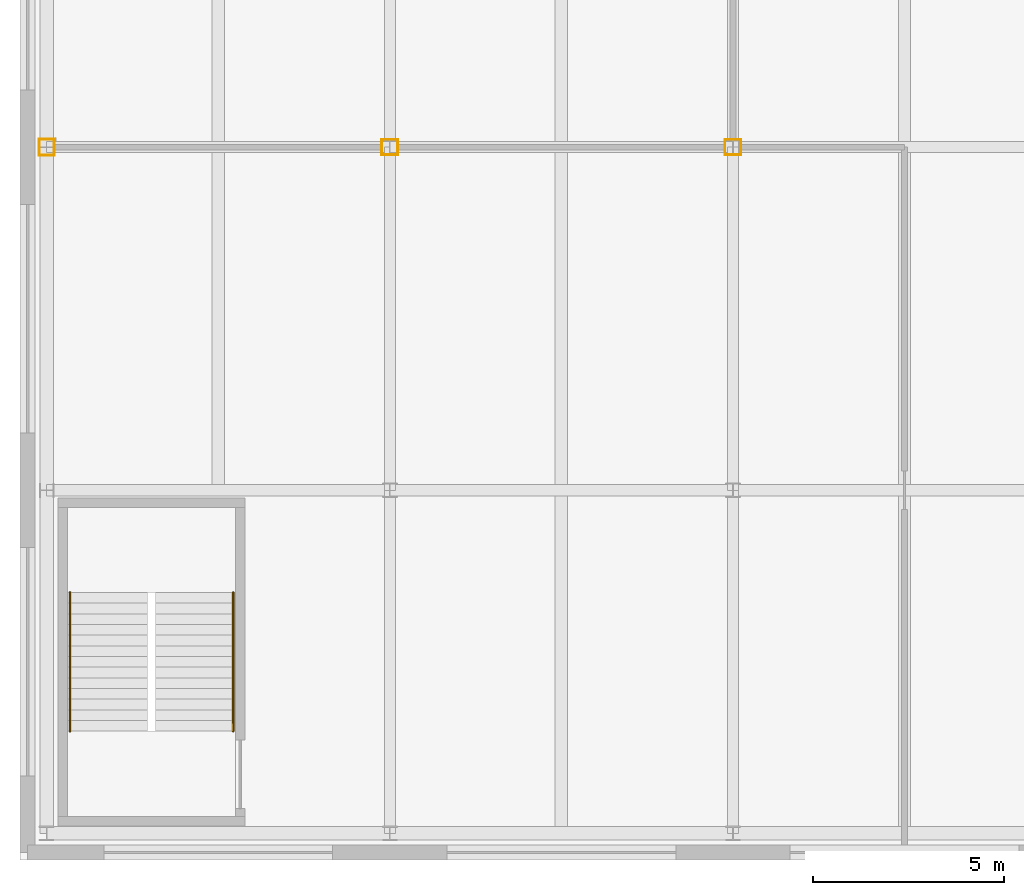
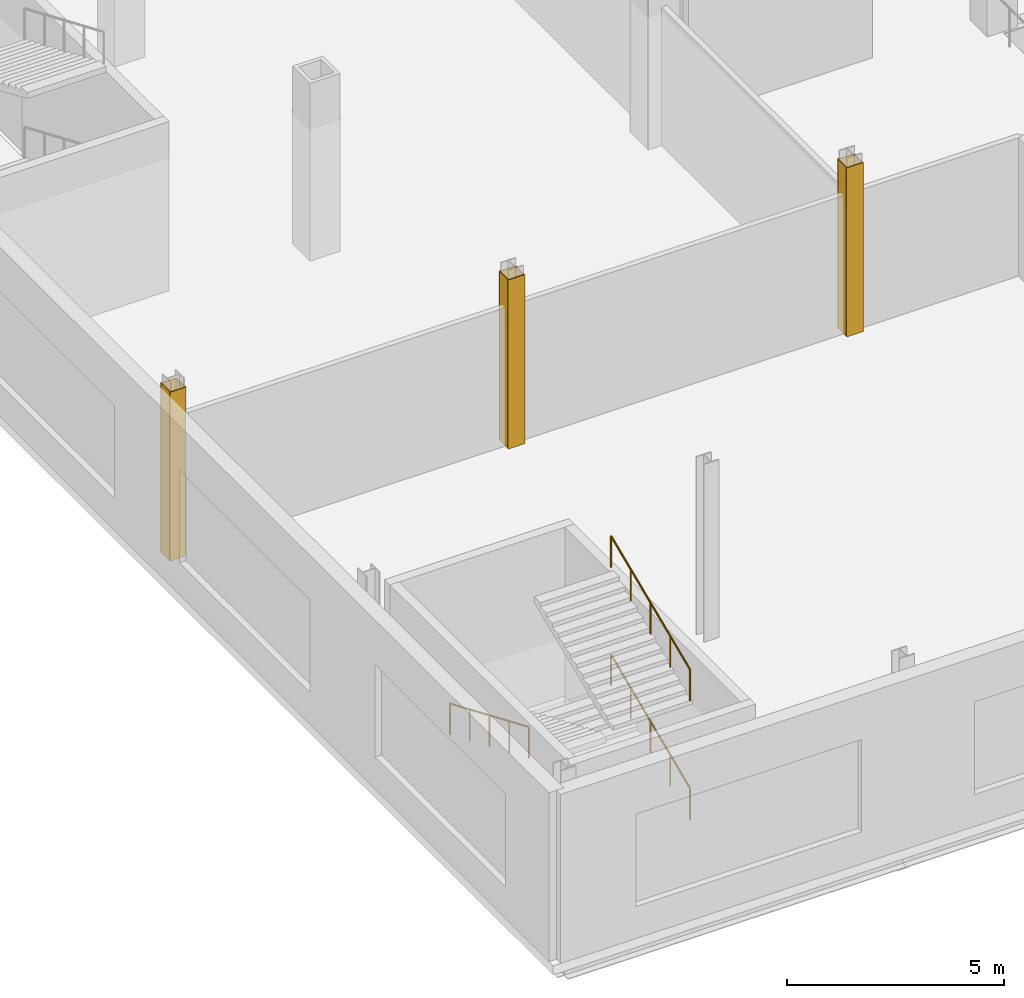
# One storey, part 19 of 28: 12 coverings, 3 railings.
"""IFC4 building model written with IfcOpenShell, lengths in metres."""

from ifc_helpers import new_model, si_unit, direction, frame, origin, origin_2d, place, context, subcontext, project, spatial, rectangle, circle, extrude, material, layer, layer_set, type_object, element, save


model = new_model("IFC4")

# Units and contexts
model_context = context("Model", 3, precision=1e-05, world=origin(), true_north=direction((0.0, 1.0)))
body_context = subcontext(model_context, "Body", "Model", "MODEL_VIEW")
ifc_project = project(units=[si_unit("LENGTHUNIT", "METRE"), si_unit("AREAUNIT", "SQUARE_METRE"), si_unit("VOLUMEUNIT", "CUBIC_METRE"), si_unit("PLANEANGLEUNIT", "RADIAN"), si_unit("MASSUNIT", "GRAM", prefix="KILO")], contexts=[model_context])

# Site, building, storey
site_placement = place(None, origin())
site = spatial("IfcSite", under=ifc_project, at=site_placement, CompositionType="ELEMENT")
building_placement = place(site_placement, origin())
building = spatial("IfcBuilding", under=site, at=building_placement, Name="Loomwork Tower", CompositionType="ELEMENT")
storey_placement = place(building_placement, frame((0.0, 0.0, 6.0)))
storey = spatial("IfcBuildingStorey", under=building, at=storey_placement, Name="L01", CompositionType="ELEMENT", Elevation=6.0)

# Coverings
ifc_material_1 = material(Name="Two-hour fire-rated gypsum board casing")
ifc_layer = layer(ifc_material_1, 0.02490234375)
ifc_layer_set = layer_set([ifc_layer], Name="Column fire casing 25")
covering_type = type_object("IfcCoveringType", Name="Column fire casing 25", PredefinedType="CLADDING", material=ifc_layer_set)
for number, where, z_axis, x_axis, name in (
    (1, (-9.0, -8.790771484375, 0.0), (0.0, 0.0, 1.0), (1.0, 0.0, 0.0), "Column casing -9 -9 L01"),
    (2, (-9.0, -9.209228515625, 0.0), (0.0, 0.0, 1.0), (1.0, 0.0, 0.0), "Column casing -9 -9 L01"),
):
    element("IfcCovering", number, at=place(storey_placement, frame(where, z_axis=z_axis, x_axis=x_axis)), inside=storey, type_object=covering_type, Name=name, PredefinedType="CLADDING", context=body_context, shape_type="SweptSolid", body=[
        extrude(rectangle(XDim=0.42578125, YDim=0.02490234375, at=origin_2d()), origin(), (0.0, 0.0, 1.0), 4.75),
    ])
for number, where, z_axis, x_axis, name in (
    (3, (-8.799560546875, -9.0, 0.0), (0.0, 0.0, 1.0), (1.0, 0.0, 0.0), "Column casing -9 -9 L01"),
    (4, (-9.200439453125, -9.0, 0.0), (0.0, 0.0, 1.0), (1.0, 0.0, 0.0), "Column casing -9 -9 L01"),
):
    element("IfcCovering", number, at=place(storey_placement, frame(where, z_axis=z_axis, x_axis=x_axis)), inside=storey, type_object=covering_type, Name=name, PredefinedType="CLADDING", context=body_context, shape_type="SweptSolid", body=[
        extrude(rectangle(XDim=0.02490234375, YDim=0.393798828125, at=origin_2d()), origin(), (0.0, 0.0, 1.0), 4.75),
    ])
for number, where, z_axis, x_axis, name in (
    (5, (0.0, -8.799560546875, 0.0), (0.0, 0.0, 1.0), (1.0, 0.0, 0.0), "Column casing 0 -9 L01"),
    (6, (0.0, -9.200439453125, 0.0), (0.0, 0.0, 1.0), (1.0, 0.0, 0.0), "Column casing 0 -9 L01"),
):
    element("IfcCovering", number, at=place(storey_placement, frame(where, z_axis=z_axis, x_axis=x_axis)), inside=storey, type_object=covering_type, Name=name, PredefinedType="CLADDING", context=body_context, shape_type="SweptSolid", body=[
        extrude(rectangle(XDim=0.443603515625, YDim=0.02490234375, at=origin_2d()), origin(), (0.0, 0.0, 1.0), 4.75),
    ])
for number, where, z_axis, x_axis, name in (
    (7, (0.20947265625, -9.0, 0.0), (0.0, 0.0, 1.0), (1.0, 0.0, 0.0), "Column casing 0 -9 L01"),
    (8, (-0.20947265625, -9.0, 0.0), (0.0, 0.0, 1.0), (1.0, 0.0, 0.0), "Column casing 0 -9 L01"),
):
    element("IfcCovering", number, at=place(storey_placement, frame(where, z_axis=z_axis, x_axis=x_axis)), inside=storey, type_object=covering_type, Name=name, PredefinedType="CLADDING", context=body_context, shape_type="SweptSolid", body=[
        extrude(rectangle(XDim=0.02490234375, YDim=0.3759765625, at=origin_2d()), origin(), (0.0, 0.0, 1.0), 4.75),
    ])
for number, where, z_axis, x_axis, name in (
    (9, (9.0, -8.799560546875, 0.0), (0.0, 0.0, 1.0), (1.0, 0.0, 0.0), "Column casing 9 -9 L01"),
    (10, (9.0, -9.200439453125, 0.0), (0.0, 0.0, 1.0), (1.0, 0.0, 0.0), "Column casing 9 -9 L01"),
):
    element("IfcCovering", number, at=place(storey_placement, frame(where, z_axis=z_axis, x_axis=x_axis)), inside=storey, type_object=covering_type, Name=name, PredefinedType="CLADDING", context=body_context, shape_type="SweptSolid", body=[
        extrude(rectangle(XDim=0.443603515625, YDim=0.02490234375, at=origin_2d()), origin(), (0.0, 0.0, 1.0), 4.75),
    ])
for number, where, z_axis, x_axis, name in (
    (11, (9.209228515625, -9.0, 0.0), (0.0, 0.0, 1.0), (1.0, 0.0, 0.0), "Column casing 9 -9 L01"),
    (12, (8.790771484375, -9.0, 0.0), (0.0, 0.0, 1.0), (1.0, 0.0, 0.0), "Column casing 9 -9 L01"),
):
    element("IfcCovering", number, at=place(storey_placement, frame(where, z_axis=z_axis, x_axis=x_axis)), inside=storey, type_object=covering_type, Name=name, PredefinedType="CLADDING", context=body_context, shape_type="SweptSolid", body=[
        extrude(rectangle(XDim=0.02490234375, YDim=0.3759765625, at=origin_2d()), origin(), (0.0, 0.0, 1.0), 4.75),
    ])

# Railings
ifc_material_2 = material(Name="Stainless steel handrail", Category="steel")
railing_type = type_object("IfcRailingType", Name="Handrail 900", PredefinedType="HANDRAIL", material=ifc_material_2)
railing_1_placement = place(storey_placement, frame((-4.110107421875, -24.320068359375, 0.118896484375)))
element("IfcRailing", 13, at=railing_1_placement, inside=storey, type_object=railing_type, Name="Podium stair PS1 handrail flight 1 L01", PredefinedType="HANDRAIL", context=body_context, shape_type="SweptSolid", body=[
    extrude(circle(Radius=0.02392578125, at=origin_2d()), frame((0.0, 0.0, 0.8759765625), z_axis=(0.0, 0.920258693564, 0.391310537706), x_axis=(-1.0, 0.0, 0.0)), (0.0, 0.0, 1.0), 3.95556640625),
    extrude(circle(Radius=0.02099609375, at=origin_2d()), origin(), (0.0, 0.0, 1.0), 0.851806640625),
    extrude(circle(Radius=0.02099609375, at=origin_2d()), frame((0.0, 0.91015625, 0.386962890625)), (0.0, 0.0, 1.0), 0.851806640625),
    extrude(circle(Radius=0.02099609375, at=origin_2d()), frame((0.0, 1.820068359375, 0.77392578125)), (0.0, 0.0, 1.0), 0.851806640625),
    extrude(circle(Radius=0.02099609375, at=origin_2d()), frame((0.0, 2.72998046875, 1.160888671875)), (0.0, 0.0, 1.0), 0.851806640625),
    extrude(circle(Radius=0.02099609375, at=origin_2d()), frame((0.0, 3.64013671875, 1.5478515625)), (0.0, 0.0, 1.0), 0.851806640625),
])
railing_2_placement = place(storey_placement, frame((-8.389892578125, -20.679931640625, 1.78564453125)))
element("IfcRailing", 14, at=railing_2_placement, inside=storey, type_object=railing_type, Name="Podium stair PS1 handrail flight 2 L01", PredefinedType="HANDRAIL", context=body_context, shape_type="SweptSolid", body=[
    extrude(circle(Radius=0.02392578125, at=origin_2d()), frame((0.0, 0.0, 0.8759765625), z_axis=(0.0, -0.920258693564, 0.391310537706), x_axis=(1.0, 0.0, 0.0)), (0.0, 0.0, 1.0), 3.95556640625),
    extrude(circle(Radius=0.02099609375, at=origin_2d()), origin(), (0.0, 0.0, 1.0), 0.851806640625),
    extrude(circle(Radius=0.02099609375, at=origin_2d()), frame((0.0, -0.91015625, 0.386962890625)), (0.0, 0.0, 1.0), 0.851806640625),
    extrude(circle(Radius=0.02099609375, at=origin_2d()), frame((0.0, -1.820068359375, 0.77392578125)), (0.0, 0.0, 1.0), 0.851806640625),
    extrude(circle(Radius=0.02099609375, at=origin_2d()), frame((0.0, -2.72998046875, 1.160888671875)), (0.0, 0.0, 1.0), 0.851806640625),
    extrude(circle(Radius=0.02099609375, at=origin_2d()), frame((0.0, -3.64013671875, 1.5478515625)), (0.0, 0.0, 1.0), 0.851806640625),
])
railing_3_placement = place(storey_placement, frame((-4.110107421875, -24.320068359375, 3.452392578125)))
element("IfcRailing", 15, at=railing_3_placement, inside=storey, type_object=railing_type, Name="Podium stair PS1 handrail flight 3 L01", PredefinedType="HANDRAIL", context=body_context, shape_type="SweptSolid", body=[
    extrude(circle(Radius=0.02392578125, at=origin_2d()), frame((0.0, 0.0, 0.8759765625), z_axis=(0.0, 0.920280918742, 0.391258265855), x_axis=(-1.0, 0.0, 0.0)), (0.0, 0.0, 1.0), 3.95556640625),
    extrude(circle(Radius=0.02099609375, at=origin_2d()), origin(), (0.0, 0.0, 1.0), 0.851806640625),
    extrude(circle(Radius=0.02099609375, at=origin_2d()), frame((0.0, 0.91015625, 0.386962890625)), (0.0, 0.0, 1.0), 0.851806640625),
    extrude(circle(Radius=0.02099609375, at=origin_2d()), frame((0.0, 1.820068359375, 0.77392578125)), (0.0, 0.0, 1.0), 0.851806640625),
    extrude(circle(Radius=0.02099609375, at=origin_2d()), frame((0.0, 2.72998046875, 1.16064453125)), (0.0, 0.0, 1.0), 0.851806640625),
    extrude(circle(Radius=0.02099609375, at=origin_2d()), frame((0.0, 3.64013671875, 1.547607421875)), (0.0, 0.0, 1.0), 0.851806640625),
])

save(model, "model.ifc")
